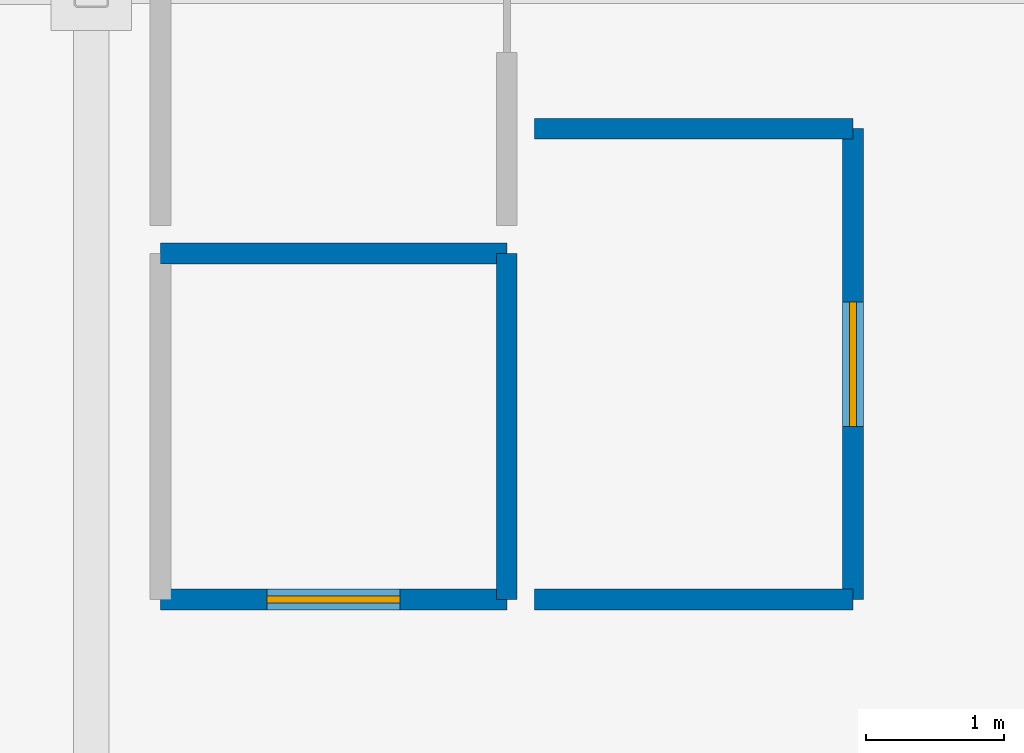
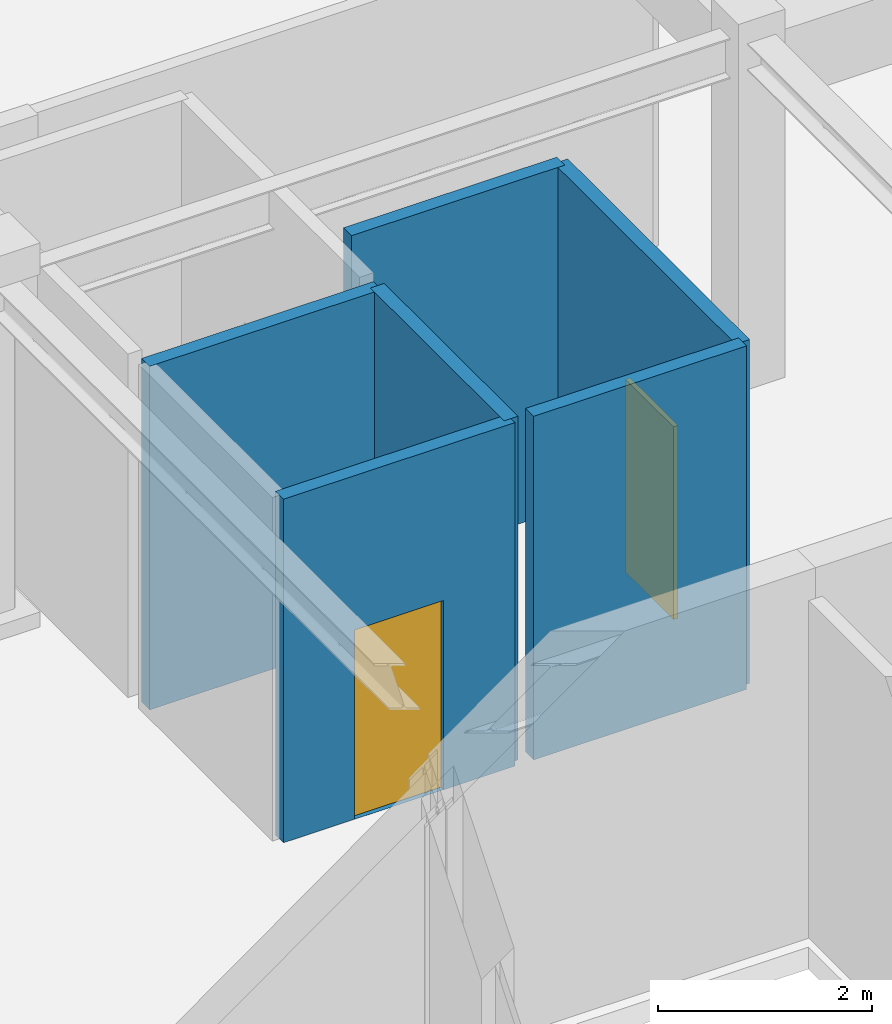
# One storey, part 42 of 54: 6 walls, 2 doors, 2 openings.
"""IFC4 building model written with IfcOpenShell, lengths in metres."""

import ifcopenshell
import ifcopenshell.guid

model = None  # the IFC model being written
_history = None  # IfcOwnerHistory: only IFC2X3 demands one
_inside = {}  # id of a spatial element -> (the spatial element, [elements in it])
_under = {}  # id of a project, library or spatial element -> (it, [spatial elements below it])
_declared = {}  # id of a project -> (the project, [libraries it declares])
_typed = {}  # id of a type object -> (the type object, [elements of that type])
_made_of = {}  # id of a material, layer set ... -> (it, [elements and type objects made of it])


def new_model(schema):
    """Start an empty IFC model of exactly this schema.

    Asked for "IFC4X3", IfcOpenShell would pick the latest addendum, in which some entities
    have other attributes; the version numbers below select the first issue.
    IFC2X3 requires an IfcOwnerHistory on every rooted entity: one is made here for all.
    """
    global model, _history
    if schema == "IFC4X3":
        model = ifcopenshell.file(schema_version=(4, 3, 0, 0))
    else:
        model = ifcopenshell.file(schema=schema)
    _inside.clear()
    _under.clear()
    _declared.clear()
    _typed.clear()
    _made_of.clear()
    _history = None
    if model.schema == "IFC2X3":
        org = make("IfcOrganization", Name="unknown")
        user = make(
            "IfcPersonAndOrganization",
            ThePerson=make("IfcPerson", FamilyName="unknown"),
            TheOrganization=org,
        )
        app = make(
            "IfcApplication",
            ApplicationDeveloper=org,
            Version="unknown",
            ApplicationFullName="unknown",
            ApplicationIdentifier="unknown",
        )
        _history = make(
            "IfcOwnerHistory",
            OwningUser=user,
            OwningApplication=app,
            ChangeAction="ADDED",
            CreationDate=0,
        )
    return model


def make(cls, **values):
    """One entity of the class cls with the attributes given. An attribute that is None is left unset."""
    return model.create_entity(
        cls, **{name: value for name, value in values.items() if value is not None}
    )


def rooted(cls, **values):
    """An entity with a GlobalId (a new one), such as an element, a storey or a relation."""
    return make(cls, GlobalId=ifcopenshell.guid.new(), OwnerHistory=_history, **values)


def si_unit(unit_type, name, prefix=None):
    """IfcSIUnit, for example si_unit("LENGTHUNIT", "METRE", prefix="MILLI")."""
    return make("IfcSIUnit", UnitType=unit_type, Prefix=prefix, Name=name)


def assignment(units):
    """IfcUnitAssignment: the units of a project."""
    return None if units is None else make("IfcUnitAssignment", Units=units)


def point(xyz):
    """IfcCartesianPoint."""
    return None if xyz is None else make("IfcCartesianPoint", Coordinates=xyz)


def direction(xyz):
    """IfcDirection."""
    return None if xyz is None else make("IfcDirection", DirectionRatios=xyz)


def frame(location, z_axis=None, x_axis=None):
    """IfcAxis2Placement3D, a coordinate frame: its origin and axes. An axis left out is left unset."""
    return make(
        "IfcAxis2Placement3D",
        Location=point(location),
        Axis=direction(z_axis),
        RefDirection=direction(x_axis),
    )


def frame_2d(location, x_axis=None):
    """IfcAxis2Placement2D, a coordinate frame in the plane: its origin and x axis."""
    return make(
        "IfcAxis2Placement2D", Location=point(location), RefDirection=direction(x_axis)
    )


def origin():
    """The frame at (0, 0, 0) with its axes left unset."""
    return frame((0.0, 0.0, 0.0))


def place(relative_to, where):
    """IfcLocalPlacement: puts the frame where relative to a parent placement (None: the world)."""
    return make(
        "IfcLocalPlacement", PlacementRelTo=relative_to, RelativePlacement=where
    )


def context(
    kind, dimensions, precision=None, world=None, true_north=None, identifier=None
):
    """IfcGeometricRepresentationContext, for example the 3D "Model" context."""
    return make(
        "IfcGeometricRepresentationContext",
        ContextIdentifier=identifier,
        ContextType=kind,
        CoordinateSpaceDimension=dimensions,
        Precision=precision,
        WorldCoordinateSystem=world,
        TrueNorth=true_north,
    )


def subcontext(parent, identifier, kind, view, scale=None):
    """IfcGeometricRepresentationSubContext, for example "Body" below "Model"."""
    return make(
        "IfcGeometricRepresentationSubContext",
        ContextIdentifier=identifier,
        ContextType=kind,
        ParentContext=parent,
        TargetScale=scale,
        TargetView=view,
    )


def project(units=None, contexts=None):
    """IfcProject with its units and contexts."""
    return rooted(
        "IfcProject",
        Name="project",
        RepresentationContexts=contexts,
        UnitsInContext=assignment(units),
    )


def spatial(cls, under=None, at=None, **own):
    """A site, building, storey or space (cls), placed at a placement, below another one or the project."""
    s = rooted(cls, ObjectPlacement=at, **own)
    if under is not None:
        _under.setdefault(under.id(), (under, []))[1].append(s)
    return s


def profile(cls, at=None, kind="AREA", **sizes):
    """A parametric profile (cls). Its sizes go by their IFC names, for example OverallWidth=200.0."""
    return make(cls, ProfileType=kind, Position=at, **sizes)


def rectangle(**sizes):
    """IfcRectangleProfileDef."""
    return profile("IfcRectangleProfileDef", **sizes)


def extrude(swept, where, along, depth):
    """IfcExtrudedAreaSolid: the profile swept, set in the frame where, extruded along a direction by depth."""
    return make(
        "IfcExtrudedAreaSolid",
        SweptArea=swept,
        Position=where,
        ExtrudedDirection=direction(along),
        Depth=depth,
    )


def shape(context_of_items, identifier, shape_type, items):
    """IfcShapeRepresentation: the items that make up one representation, for example the "Body"."""
    return make(
        "IfcShapeRepresentation",
        ContextOfItems=context_of_items,
        RepresentationIdentifier=identifier,
        RepresentationType=shape_type,
        Items=items,
    )


def material(Name=None, Category=None):
    """IfcMaterial."""
    return make("IfcMaterial", Name=Name, Category=Category)


def layer(
    of_material, thickness, ventilated=None, Name=None, Category=None, Priority=None
):
    """IfcMaterialLayer: one layer of a wall or slab, of a material (None: an air gap)."""
    return make(
        "IfcMaterialLayer",
        Material=of_material,
        LayerThickness=thickness,
        IsVentilated=ventilated,
        Name=Name,
        Category=Category,
        Priority=Priority,
    )


def layer_set(layers, Name=None):
    """IfcMaterialLayerSet."""
    return make("IfcMaterialLayerSet", MaterialLayers=layers, LayerSetName=Name)


def made_of(thing, what):
    """Note that an element or type object is made of a material, layer set ...; save() writes the relation."""
    if what is not None:
        _made_of.setdefault(what.id(), (what, []))[1].append(thing)
    return thing


def type_object(cls, material=None, **own):
    """A type object (cls), such as IfcWallType, which elements share."""
    return made_of(rooted(cls, **own), material)


def element(
    cls,
    number,
    at=None,
    inside=None,
    cuts=None,
    type_object=None,
    material=None,
    context=None,
    identifier="Body",
    shape_type=None,
    held_by="IfcProductDefinitionShape",
    body=None,
    shapes=None,
    **own,
):
    """One element of the class cls, such as IfcWall. Its Tag is "e" and its number.

    at: its placement. inside: the storey or other place that contains it. cuts: it is an
    opening in that element (IfcRelVoidsElement). A single representation is given by context,
    identifier, shape_type and body (its items); several are given by shapes. held_by: the class
    of the entity that holds the representations. save() writes the other relations.
    """
    e = rooted(cls, Tag="e%d" % number, ObjectPlacement=at, **own)
    if body is not None:
        shapes = [shape(context, identifier, shape_type, body)]
    if shapes is not None:
        e.Representation = make(held_by, Representations=shapes)
    if inside is not None:
        _inside.setdefault(inside.id(), (inside, []))[1].append(e)
    if cuts is not None:
        rooted(
            "IfcRelVoidsElement", RelatingBuildingElement=cuts, RelatedOpeningElement=e
        )
    if type_object is not None:
        _typed.setdefault(type_object.id(), (type_object, []))[1].append(e)
    return made_of(e, material)


def fill(opening, filler):
    """IfcRelFillsElement: the door or window that sits in an opening."""
    return rooted(
        "IfcRelFillsElement",
        RelatingOpeningElement=opening,
        RelatedBuildingElement=filler,
    )


def aggregate(whole, parts):
    """IfcRelAggregates: a whole, such as a stair, and the parts it consists of."""
    return rooted("IfcRelAggregates", RelatingObject=whole, RelatedObjects=parts)


def save(model, path):
    """Write the relations noted so far, then the file.

    IfcRelAggregates (storeys below a building ...), IfcRelContainedInSpatialStructure (elements
    in a storey), IfcRelDefinesByType, IfcRelAssociatesMaterial and IfcRelDeclares: one each for
    every whole, place, type object, material and project.
    """
    for whole, parts in _under.values():
        aggregate(whole, parts)
    for where, things in _inside.values():
        rooted(
            "IfcRelContainedInSpatialStructure",
            RelatedElements=things,
            RelatingStructure=where,
        )
    for kind, things in _typed.values():
        rooted("IfcRelDefinesByType", RelatedObjects=things, RelatingType=kind)
    for what, things in _made_of.values():
        rooted("IfcRelAssociatesMaterial", RelatedObjects=things, RelatingMaterial=what)
    for by, libraries in _declared.values():
        rooted("IfcRelDeclares", RelatingContext=by, RelatedDefinitions=libraries)
    model.write(path)


model = new_model("IFC4")

# Units and contexts
model_context = context("Model", 3, precision=1e-05, world=origin(), true_north=direction((0.0, 1.0)))
body_context = subcontext(model_context, "Body", "Model", "MODEL_VIEW")
ifc_project = project(units=[si_unit("LENGTHUNIT", "METRE"), si_unit("AREAUNIT", "SQUARE_METRE"), si_unit("VOLUMEUNIT", "CUBIC_METRE"), si_unit("PLANEANGLEUNIT", "RADIAN"), si_unit("MASSUNIT", "GRAM", prefix="KILO")], contexts=[model_context])

# Site, building, storey
site_placement = place(None, origin())
site = spatial("IfcSite", under=ifc_project, at=site_placement, CompositionType="ELEMENT")
building_placement = place(site_placement, origin())
building = spatial("IfcBuilding", under=site, at=building_placement, Name="Parian Resonance Hall", CompositionType="ELEMENT")
storey_placement = place(building_placement, frame((0.0, 0.0, 15.0)))
storey = spatial("IfcBuildingStorey", under=building, at=storey_placement, Name="L03", CompositionType="ELEMENT", Elevation=15.0)

# Wall
ifc_material_1 = material(Name="Concrete C35/45 acoustic plumbing chase wall", Category="concrete")
ifc_layer = layer(ifc_material_1, 0.14990234375)
ifc_layer_set = layer_set([ifc_layer], Name="Concrete C35/45 acoustic plumbing chase wall")
wall_type = type_object("IfcWallType", Name="PW150", PredefinedType="PLUMBINGWALL", material=ifc_layer_set)
wall_1_placement = place(storey_placement, frame((124.5, 62.89990234375, 0.0), z_axis=(0.0, 0.0, 1.0), x_axis=(0.0, -1.0, 0.0)))
element("IfcWall", 1, at=wall_1_placement, inside=storey, type_object=wall_type, Name="Interior acoustic partition IW-L03-0215", PredefinedType="PLUMBINGWALL", context=body_context, shape_type="SweptSolid", body=[
    extrude(rectangle(XDim=2.5, YDim=0.14990234375, at=frame_2d((1.25, 0.0))), origin(), (0.0, 0.0, 1.0), 3.919921875),
])

# Wall, opening, door
wall_2_placement = place(storey_placement, frame((124.5, 60.39990234375, 0.0), z_axis=(0.0, 0.0, 1.0), x_axis=(-1.0, 0.0, 0.0)))
wall_2 = element("IfcWall", 2, at=wall_2_placement, inside=storey, type_object=wall_type, Name="Interior acoustic partition IW-L03-0216", PredefinedType="PLUMBINGWALL", context=body_context, shape_type="SweptSolid", body=[
    extrude(rectangle(XDim=2.5, YDim=0.14990234375, at=frame_2d((1.25, 0.0))), origin(), (0.0, 0.0, 1.0), 3.919921875),
])
opening_1_placement = place(wall_2_placement, frame((0.77001953125, 0.0, 0.0)))
opening_1 = element("IfcOpeningElement", 3, at=opening_1_placement, cuts=wall_2, Name="Opening ID-21", PredefinedType="OPENING", context=body_context, shape_type="SweptSolid", body=[
    extrude(rectangle(XDim=0.9599609375, YDim=2.159912109375, at=frame_2d((0.47998046875, 1.080078125))), frame((0.0, 0.0849609375, 0.0), z_axis=(0.0, -1.0, 0.0), x_axis=(1.0, 0.0, 0.0)), (0.0, 0.0, 1.0), 0.169921875),
])
ifc_material_2 = material(Name="Philippine narra acoustic timber door", Category="wood")
door_type_1 = type_object("IfcDoorType", Name="ID-AWC-0960x2160", OperationType="NOTDEFINED", PredefinedType="DOOR", material=ifc_material_2)
door_1_placement = place(opening_1_placement, origin())
door_1 = element("IfcDoor", 4, at=door_1_placement, inside=storey, type_object=door_type_1, Name="Accessible WC W2 door", OperationType="SINGLE_SWING_LEFT", OverallHeight=2.159912109375, OverallWidth=0.9599609375, PredefinedType="DOOR", context=body_context, shape_type="SweptSolid", body=[
    extrude(rectangle(XDim=0.9599609375, YDim=2.159912109375, at=frame_2d((0.47998046875, 1.080078125))), frame((0.0, 0.02490234375, 0.0), z_axis=(0.0, -1.0, 0.0), x_axis=(1.0, 0.0, 0.0)), (0.0, 0.0, 1.0), 0.050048828125),
])
fill(opening_1, door_1)

# Wall
wall_3_placement = place(storey_placement, frame((122.0, 62.89990234375, 0.0), z_axis=(0.0, 0.0, 1.0), x_axis=(1.0, 0.0, 0.0)))
element("IfcWall", 5, at=wall_3_placement, inside=storey, type_object=wall_type, Name="Interior acoustic partition IW-L03-0218", PredefinedType="PLUMBINGWALL", context=body_context, shape_type="SweptSolid", body=[
    extrude(rectangle(XDim=2.5, YDim=0.14990234375, at=frame_2d((1.25, 0.0))), origin(), (0.0, 0.0, 1.0), 3.919921875),
])

# Wall, opening, door
wall_4_placement = place(storey_placement, frame((127.0, 63.800048828125, 0.0), z_axis=(0.0, 0.0, 1.0), x_axis=(0.0, -1.0, 0.0)))
wall_4 = element("IfcWall", 6, at=wall_4_placement, inside=storey, type_object=wall_type, Name="Interior acoustic partition IW-L03-0219", PredefinedType="PLUMBINGWALL", context=body_context, shape_type="SweptSolid", body=[
    extrude(rectangle(XDim=3.400146484375, YDim=0.14990234375, at=frame_2d((1.7001953125, 0.0))), origin(), (0.0, 0.0, 1.0), 3.919921875),
])
opening_2_placement = place(wall_4_placement, frame((1.25, 0.0, 0.0)))
opening_2 = element("IfcOpeningElement", 7, at=opening_2_placement, cuts=wall_4, Name="Opening ID-23", PredefinedType="OPENING", context=body_context, shape_type="SweptSolid", body=[
    extrude(rectangle(XDim=0.89990234375, YDim=2.199951171875, at=frame_2d((0.449951171875, 1.10009765625))), frame((0.0, 0.0849609375, 0.0), z_axis=(0.0, -1.0, 0.0), x_axis=(1.0, 0.0, 0.0)), (0.0, 0.0, 1.0), 0.169921875),
])
ifc_material_3 = material(Name="Philippine narra acoustic timber door", Category="wood")
door_type_2 = type_object("IfcDoorType", Name="ID-WC-0900x2200", OperationType="NOTDEFINED", PredefinedType="DOOR", material=ifc_material_3)
door_2_placement = place(opening_2_placement, origin())
door_2 = element("IfcDoor", 8, at=door_2_placement, inside=storey, type_object=door_type_2, Name="Female Restroom W2 door", OperationType="SINGLE_SWING_RIGHT", OverallHeight=2.199951171875, OverallWidth=0.89990234375, PredefinedType="DOOR", context=body_context, shape_type="SweptSolid", body=[
    extrude(rectangle(XDim=0.89990234375, YDim=2.199951171875, at=frame_2d((0.449951171875, 1.10009765625))), frame((0.0, 0.02490234375, 0.0), z_axis=(0.0, -1.0, 0.0), x_axis=(1.0, 0.0, 0.0)), (0.0, 0.0, 1.0), 0.050048828125),
])
fill(opening_2, door_2)

# Walls
for number, where, z_axis, x_axis, name in (
    (9, (127.0, 60.39990234375, 0.0), (0.0, 0.0, 1.0), (-1.0, 0.0, 0.0), "Interior acoustic partition IW-L03-0220"),
    (10, (124.699951171875, 63.800048828125, 0.0), (0.0, 0.0, 1.0), (1.0, 0.0, 0.0), "Interior acoustic partition IW-L03-0221"),
):
    element("IfcWall", number, at=place(storey_placement, frame(where, z_axis=z_axis, x_axis=x_axis)), inside=storey, type_object=wall_type, Name=name, PredefinedType="PLUMBINGWALL", context=body_context, shape_type="SweptSolid", body=[
        extrude(rectangle(XDim=2.300048828125, YDim=0.14990234375, at=frame_2d((1.14990234375, 0.0))), origin(), (0.0, 0.0, 1.0), 3.919921875),
    ])

save(model, "model.ifc")
